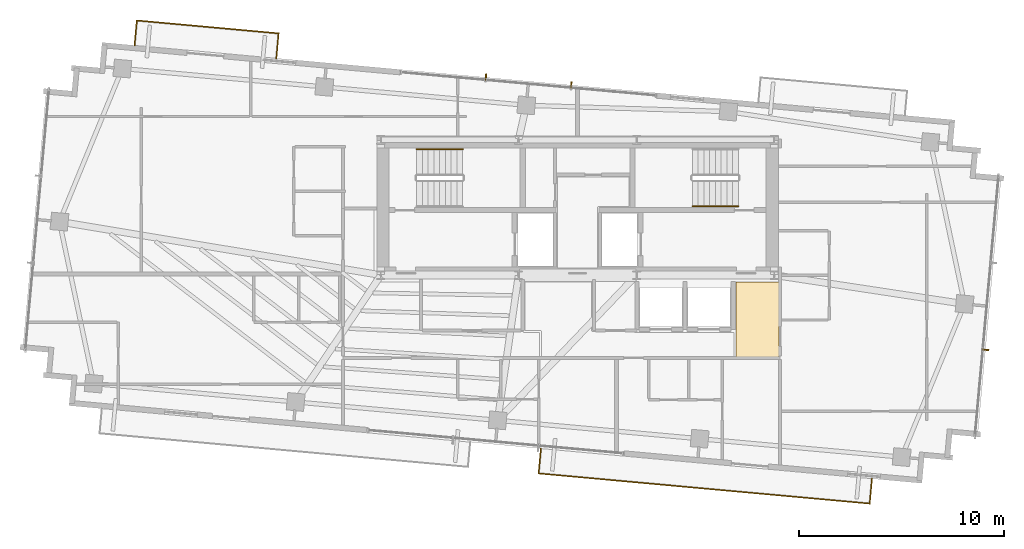
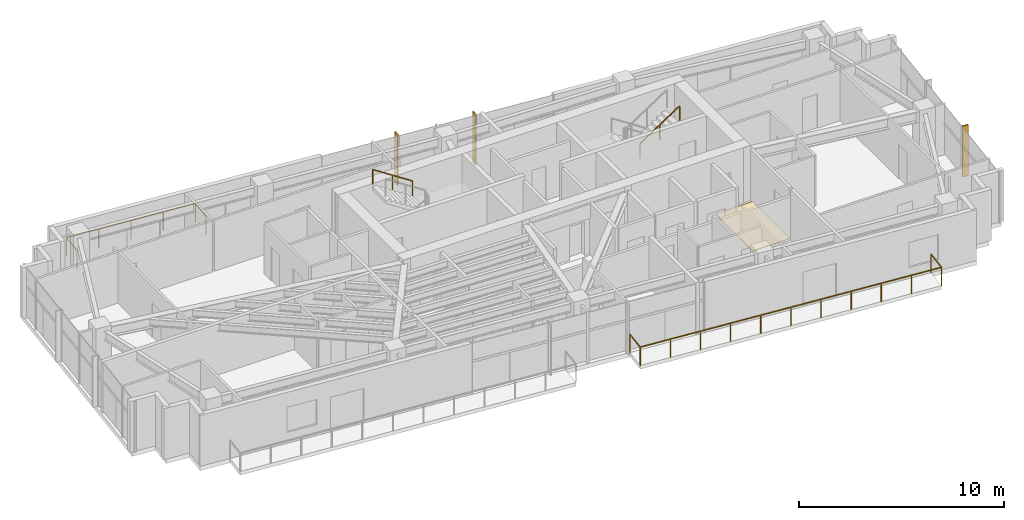
# One storey, part 21 of 22: 4 railings, 3 shading devices, 1 covering.
"""IFC4 building model written with IfcOpenShell, lengths in metres."""

from ifc_helpers import new_model, si_unit, direction, frame, origin, origin_2d, place, context, subcontext, project, spatial, polyline, rectangle, outline, extrude, source, transform, mapped, material, layer, layer_set, type_object, type_shapes, element, save


model = new_model("IFC4")

# Units and contexts
model_context = context("Model", 3, precision=1e-05, world=origin(), true_north=direction((0.0, 1.0)))
body_context = subcontext(model_context, "Body", "Model", "MODEL_VIEW")
ifc_project = project(units=[si_unit("LENGTHUNIT", "METRE"), si_unit("AREAUNIT", "SQUARE_METRE"), si_unit("VOLUMEUNIT", "CUBIC_METRE"), si_unit("PLANEANGLEUNIT", "RADIAN"), si_unit("MASSUNIT", "GRAM", prefix="KILO")], contexts=[model_context])

# Site, building, storey
site_placement = place(None, origin())
site = spatial("IfcSite", under=ifc_project, at=site_placement, CompositionType="ELEMENT")
building_placement = place(site_placement, origin())
building = spatial("IfcBuilding", under=site, at=building_placement, Name="Astriad Promenade Condominiums", CompositionType="ELEMENT")
storey_placement = place(building_placement, frame((0.0, 0.0, 226.5)))
storey = spatial("IfcBuildingStorey", under=building, at=storey_placement, Name="L65", CompositionType="ELEMENT", Elevation=226.5)

# Covering
ifc_material_1 = material(Name="Polished Lakefront Terrazzo Flooring")
ifc_layer = layer(ifc_material_1, 0.02001953125)
ifc_layer_set = layer_set([ifc_layer], Name="Polished Lakefront Terrazzo Flooring")
covering_type = type_object("IfcCoveringType", Name="COV-FLOR-TERRAZZO-20", PredefinedType="FLOORING", material=ifc_layer_set)
covering_placement = place(storey_placement, origin())
element("IfcCovering", 1, at=covering_placement, inside=storey, type_object=covering_type, Name="FLR-L65-COR-2", PredefinedType="FLOORING", context=body_context, shape_type="SweptSolid", body=[
    extrude(outline(polyline([(43.72998046875, 14.62353515625), (43.73095703125, 14.62451171875), (43.7333984375, 14.627685546875), (43.7353515625, 14.631103515625), (43.737060546875, 14.634765625), (43.73828125, 14.638427734375), (43.7392578125, 14.64208984375), (43.73974609375, 14.64599609375), (43.739990234375, 14.64990234375), (43.739990234375, 17.06005859375), (45.840087890625, 17.06005859375), (45.840087890625, 13.39990234375), (43.72998046875, 13.39990234375), (43.72998046875, 14.62353515625)])), origin(), (0.0, 0.0, 1.0), 0.02001953125),
])

# Shading devices
ifc_material_2 = material(Name="Anodised aluminium 6063-T6 Black Fin", Category="aluminium")
shading_device_type = type_object("IfcShadingDeviceType", Name="FIN-BLACK-260", PredefinedType="USERDEFINED", material=ifc_material_2)
shared_shape_1 = source(origin(), body_context, "Body", "SweptSolid", [
    extrude(rectangle(XDim=0.06494140625, YDim=0.320068359375, at=origin_2d()), origin(), (0.0, 0.0, 1.0), 3.0400390625),
])
type_shapes(shading_device_type, [shared_shape_1])
for number, where, z_axis, x_axis, name in (
    (2, (31.526123046875, 27.062744140625, 0.0), (0.0, 0.0, 1.0), (0.995884398616, -0.090632580198, 0.0), "CW-L65-N-FIN-01"),
    (3, (35.68896484375, 26.683837890625, 0.0), (0.0, 0.0, 1.0), (0.995884398616, -0.090632580198, 0.0), "CW-L65-N-FIN-02"),
    (4, (55.920166015625, 13.753662109375, 0.0), (0.0, 0.0, 1.0), (-0.090632580198, -0.995884398616, 0.0), "CW-L65-E-FIN-02"),
):
    element("IfcShadingDevice", number, at=place(storey_placement, frame(where, z_axis=z_axis, x_axis=x_axis)), inside=storey, type_object=shading_device_type, Name=name, ObjectType="FIN", PredefinedType="USERDEFINED", context=body_context, shape_type="MappedRepresentation", body=[
        mapped(shared_shape_1, transform((0.0, 0.0, 0.0), scale=1.0)),
    ])

# Railings
ifc_material_3 = material(Name="Laminated Glass and Stainless Steel Balustrade", Category="steel")
railing_type_1 = type_object("IfcRailingType", Name="GRD-BALC-1120", PredefinedType="BALUSTRADE", material=ifc_material_3)
shared_shape_2 = source(origin(), body_context, "Body", "SweptSolid", [
    extrude(rectangle(XDim=0.048095703125, YDim=0.048095703125, at=origin_2d()), frame((0.0, 0.0, 1.09619140625), z_axis=(-0.090643994769, -0.995883359743, 0.0), x_axis=(0.995883359743, -0.090643994769, 0.0)), (0.0, 0.0, 1.0), 1.22021484375),
    extrude(rectangle(XDim=0.048095703125, YDim=0.048095703125, at=origin_2d()), frame((-0.110595703125, -1.215087890625, 1.09619140625), z_axis=(0.995885555502, -0.09061986726, 0.0), x_axis=(0.09061986726, 0.995885555502, 0.0)), (0.0, 0.0, 1.0), 16.223876953125),
    extrude(rectangle(XDim=0.048095703125, YDim=0.048095703125, at=origin_2d()), frame((16.046630859375, -2.685302734375, 1.09619140625), z_axis=(0.09066206129, 0.995881715186, 0.0), x_axis=(-0.995881715186, 0.09066206129, 0.0)), (0.0, 0.0, 1.0), 1.219970703125),
    extrude(rectangle(XDim=0.0419921875, YDim=0.0419921875, at=origin_2d()), origin(), (0.0, 0.0, 1.0), 1.072021484375),
    extrude(rectangle(XDim=0.0419921875, YDim=0.0419921875, at=origin_2d()), frame((-0.110595703125, -1.215087890625, 0.0)), (0.0, 0.0, 1.0), 1.072021484375),
    extrude(rectangle(XDim=0.0419921875, YDim=0.0419921875, at=origin_2d()), frame((1.505126953125, -1.362060546875, 0.0)), (0.0, 0.0, 1.0), 1.072021484375),
    extrude(rectangle(XDim=0.0419921875, YDim=0.0419921875, at=origin_2d()), frame((3.120849609375, -1.509033203125, 0.0)), (0.0, 0.0, 1.0), 1.072021484375),
    extrude(rectangle(XDim=0.0419921875, YDim=0.0419921875, at=origin_2d()), frame((4.736572265625, -1.65625, 0.0)), (0.0, 0.0, 1.0), 1.072021484375),
    extrude(rectangle(XDim=0.0419921875, YDim=0.0419921875, at=origin_2d()), frame((6.352294921875, -1.80322265625, 0.0)), (0.0, 0.0, 1.0), 1.072021484375),
    extrude(rectangle(XDim=0.0419921875, YDim=0.0419921875, at=origin_2d()), frame((7.968017578125, -1.9501953125, 0.0)), (0.0, 0.0, 1.0), 1.072021484375),
    extrude(rectangle(XDim=0.0419921875, YDim=0.0419921875, at=origin_2d()), frame((9.583740234375, -2.09716796875, 0.0)), (0.0, 0.0, 1.0), 1.072021484375),
    extrude(rectangle(XDim=0.0419921875, YDim=0.0419921875, at=origin_2d()), frame((11.199462890625, -2.244140625, 0.0)), (0.0, 0.0, 1.0), 1.072021484375),
    extrude(rectangle(XDim=0.0419921875, YDim=0.0419921875, at=origin_2d()), frame((12.815185546875, -2.391357421875, 0.0)), (0.0, 0.0, 1.0), 1.072021484375),
    extrude(rectangle(XDim=0.0419921875, YDim=0.0419921875, at=origin_2d()), frame((14.430908203125, -2.538330078125, 0.0)), (0.0, 0.0, 1.0), 1.072021484375),
    extrude(rectangle(XDim=0.0419921875, YDim=0.0419921875, at=origin_2d()), frame((16.046630859375, -2.685302734375, 0.0)), (0.0, 0.0, 1.0), 1.072021484375),
    extrude(rectangle(XDim=0.0419921875, YDim=0.0419921875, at=origin_2d()), frame((16.1572265625, -1.470458984375, 0.0)), (0.0, 0.0, 1.0), 1.072021484375),
])
railing_1_placement = place(storey_placement, frame((34.211181640625, 8.934814453125, 0.0)))
element("IfcRailing", 5, at=railing_1_placement, inside=storey, type_object=railing_type_1, Name="GRD-BALC-L65-SE", PredefinedType="BALUSTRADE", context=body_context, shape_type="MappedRepresentation", body=[
    mapped(shared_shape_2, transform((0.0, 0.0, 0.0), scale=1.0)),
])
shared_shape_3 = source(origin(), body_context, "Body", "SweptSolid", [
    extrude(rectangle(XDim=0.048095703125, YDim=0.048095703125, at=origin_2d()), frame((0.0, 0.0, 1.09619140625), z_axis=(0.09066206129, 0.995881715186, 0.0), x_axis=(-0.995881715186, 0.09066206129, 0.0)), (0.0, 0.0, 1.0), 1.219970703125),
    extrude(rectangle(XDim=0.048095703125, YDim=0.048095703125, at=origin_2d()), frame((0.110595703125, 1.21484375, 1.09619140625), z_axis=(-0.995884271827, 0.090633973359, 0.0), x_axis=(-0.090633973359, -0.995884271827, 0.0)), (0.0, 0.0, 1.0), 6.947021484375),
    extrude(rectangle(XDim=0.048095703125, YDim=0.048095703125, at=origin_2d()), frame((-6.807861328125, 1.844482421875, 1.09619140625), z_axis=(-0.09066206129, -0.995881715186, 0.0), x_axis=(0.995881715186, -0.09066206129, 0.0)), (0.0, 0.0, 1.0), 1.219970703125),
    extrude(rectangle(XDim=0.0419921875, YDim=0.0419921875, at=origin_2d()), origin(), (0.0, 0.0, 1.0), 1.072021484375),
    extrude(rectangle(XDim=0.0419921875, YDim=0.0419921875, at=origin_2d()), frame((0.110595703125, 1.21484375, 0.0)), (0.0, 0.0, 1.0), 1.072021484375),
    extrude(rectangle(XDim=0.0419921875, YDim=0.0419921875, at=origin_2d()), frame((-1.619140625, 1.372314453125, 0.0)), (0.0, 0.0, 1.0), 1.072021484375),
    extrude(rectangle(XDim=0.0419921875, YDim=0.0419921875, at=origin_2d()), frame((-3.3486328125, 1.52978515625, 0.0)), (0.0, 0.0, 1.0), 1.072021484375),
    extrude(rectangle(XDim=0.0419921875, YDim=0.0419921875, at=origin_2d()), frame((-5.078125, 1.68701171875, 0.0)), (0.0, 0.0, 1.0), 1.072021484375),
    extrude(rectangle(XDim=0.0419921875, YDim=0.0419921875, at=origin_2d()), frame((-6.807861328125, 1.844482421875, 0.0)), (0.0, 0.0, 1.0), 1.072021484375),
    extrude(rectangle(XDim=0.0419921875, YDim=0.0419921875, at=origin_2d()), frame((-6.91845703125, 0.629638671875, 0.0)), (0.0, 0.0, 1.0), 1.072021484375),
])
type_shapes(railing_type_1, [shared_shape_2, shared_shape_3])
railing_2_placement = place(storey_placement, frame((21.297607421875, 27.983642578125, 0.0)))
element("IfcRailing", 6, at=railing_2_placement, inside=storey, type_object=railing_type_1, Name="GRD-BALC-L65-NW", PredefinedType="BALUSTRADE", context=body_context, shape_type="MappedRepresentation", body=[
    mapped(shared_shape_3, transform((0.0, 0.0, 0.0), scale=1.0)),
])
ifc_material_4 = material(Name="Brushed Stainless Steel Handrail", Category="steel")
railing_type_2 = type_object("IfcRailingType", Name="HRL-STAIR-920", PredefinedType="HANDRAIL", material=ifc_material_4)
shared_shape_4 = source(origin(), body_context, "Body", "SweptSolid", [
    extrude(rectangle(XDim=0.048095703125, YDim=0.048095703125, at=origin_2d()), frame((0.0, 0.0, 0.8759765625), z_axis=(0.836595146698, 0.0, 0.547821650285), x_axis=(0.0, 1.0, 0.0)), (0.0, 0.0, 1.0), 2.677490234375),
    extrude(rectangle(XDim=0.0419921875, YDim=0.0419921875, at=origin_2d()), origin(), (0.0, 0.0, 1.0), 0.851806640625),
    extrude(rectangle(XDim=0.0419921875, YDim=0.0419921875, at=origin_2d()), frame((1.1201171875, 0.0, 0.7333984375)), (0.0, 0.0, 1.0), 0.851806640625),
    extrude(rectangle(XDim=0.0419921875, YDim=0.0419921875, at=origin_2d()), frame((2.239990234375, 0.0, 1.466796875)), (0.0, 0.0, 1.0), 0.851806640625),
])
railing_3_placement = place(storey_placement, frame((41.610107421875, 20.75, 1.833251953125)))
element("IfcRailing", 7, at=railing_3_placement, inside=storey, type_object=railing_type_2, Name="L65 ST-2 stair handrail 2", PredefinedType="HANDRAIL", context=body_context, shape_type="MappedRepresentation", body=[
    mapped(shared_shape_4, transform((0.0, 0.0, 0.0), scale=1.0)),
])
shared_shape_5 = source(origin(), body_context, "Body", "SweptSolid", [
    extrude(rectangle(XDim=0.048095703125, YDim=0.048095703125, at=origin_2d()), frame((0.0, 0.0, 0.8759765625), z_axis=(-0.836595146698, 0.0, 0.547821650285), x_axis=(0.0, -1.0, 0.0)), (0.0, 0.0, 1.0), 2.677490234375),
    extrude(rectangle(XDim=0.0419921875, YDim=0.0419921875, at=origin_2d()), origin(), (0.0, 0.0, 1.0), 0.851806640625),
    extrude(rectangle(XDim=0.0419921875, YDim=0.0419921875, at=origin_2d()), frame((-1.1201171875, 0.0, 0.7333984375)), (0.0, 0.0, 1.0), 0.851806640625),
    extrude(rectangle(XDim=0.0419921875, YDim=0.0419921875, at=origin_2d()), frame((-2.239990234375, 0.0, 1.466796875)), (0.0, 0.0, 1.0), 0.851806640625),
])
type_shapes(railing_type_2, [shared_shape_4, shared_shape_5])
railing_4_placement = place(storey_placement, frame((30.389892578125, 23.550048828125, 1.833251953125)))
element("IfcRailing", 8, at=railing_4_placement, inside=storey, type_object=railing_type_2, Name="L65 ST-1 stair handrail 2", PredefinedType="HANDRAIL", context=body_context, shape_type="MappedRepresentation", body=[
    mapped(shared_shape_5, transform((0.0, 0.0, 0.0), scale=1.0)),
])

save(model, "model.ifc")
